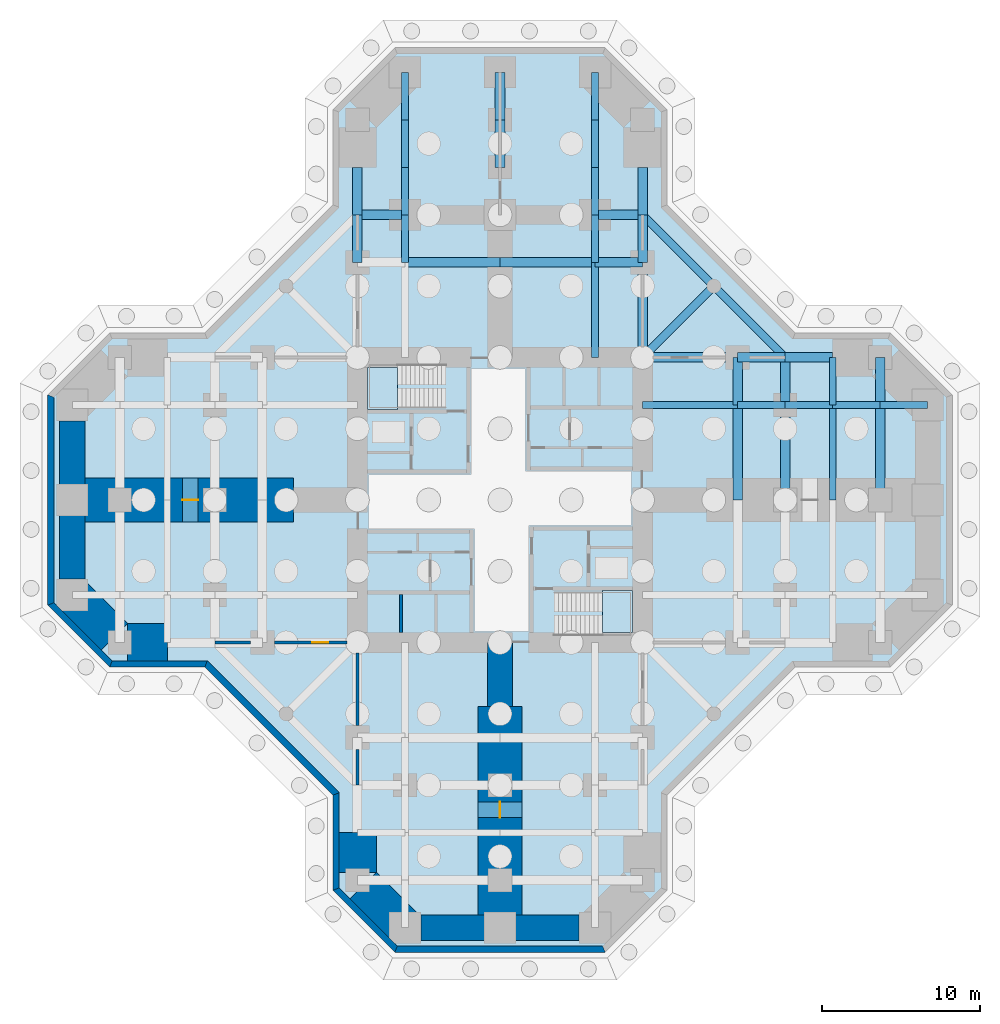
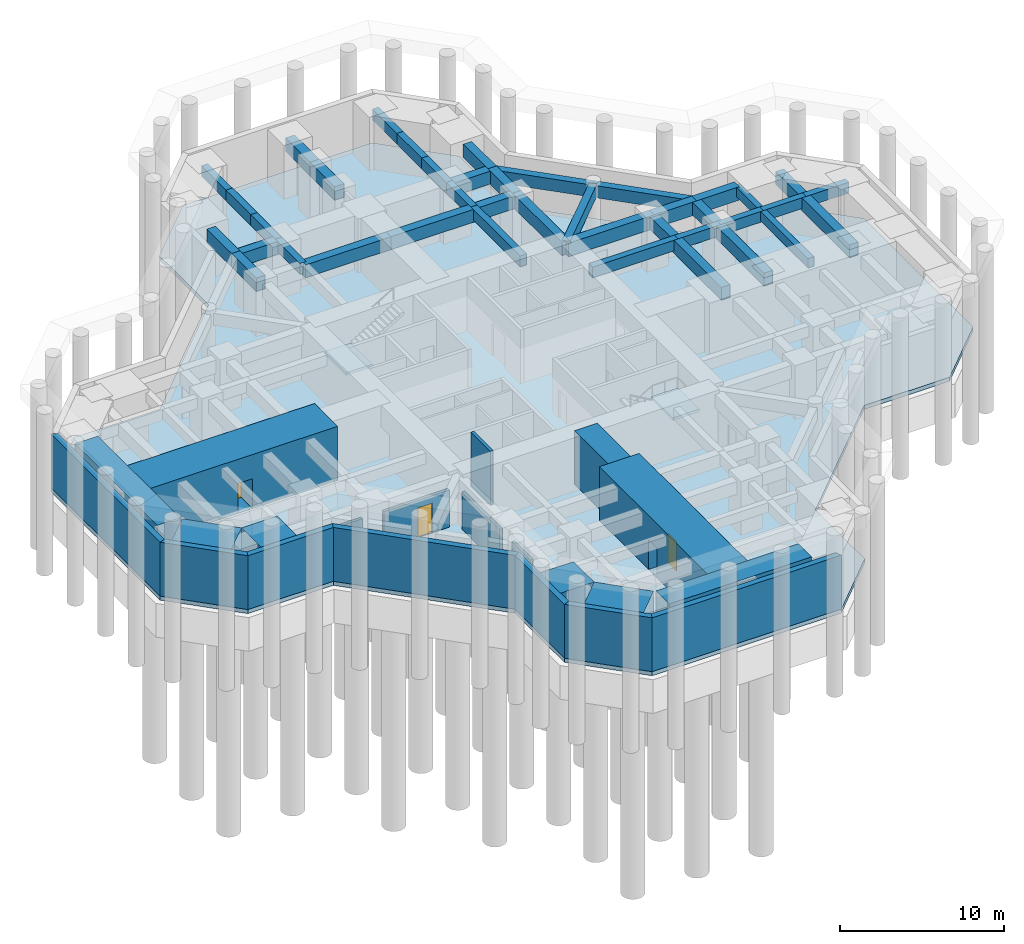
# One storey, part 3 of 8: 40 beams, 21 walls, 3 doors, 3 slabs, 3 openings, 2 elements without a shape of their own.
"""IFC4 building model written with IfcOpenShell, lengths in metres."""

from ifc_helpers import new_model, si_unit, direction, frame, frame_2d, origin, origin_2d, place, context, subcontext, project, spatial, polyline, rectangle, outline, extrude, material, layer, layer_set, constituent, constituent_set, material_profile, profile_set, type_object, element, fill, aggregate, save


model = new_model("IFC4")

# Units and contexts
model_context = context("Model", 3, precision=1e-05, world=origin(), true_north=direction((0.0, 1.0)))
body_context = subcontext(model_context, "Body", "Model", "MODEL_VIEW")
ifc_project = project(units=[si_unit("LENGTHUNIT", "METRE"), si_unit("AREAUNIT", "SQUARE_METRE"), si_unit("VOLUMEUNIT", "CUBIC_METRE"), si_unit("PLANEANGLEUNIT", "RADIAN"), si_unit("MASSUNIT", "GRAM", prefix="KILO")], contexts=[model_context])

# Site, building, storey
site_placement = place(None, origin())
site = spatial("IfcSite", under=ifc_project, at=site_placement, CompositionType="ELEMENT")
building_placement = place(site_placement, origin())
building = spatial("IfcBuilding", under=site, at=building_placement, Name="Torre Cruceta", CompositionType="ELEMENT")
storey_placement = place(building_placement, frame((0.0, 0.0, -8.0)))
storey = spatial("IfcBuildingStorey", under=building, at=storey_placement, Name="B02", CompositionType="ELEMENT", Elevation=-8.0)

# Beams
ifc_material_1 = material(Name="Concrete G60 (fck 60 MPa)", Category="concrete")
ifc_material_profile_1 = material_profile(ifc_material_1, rectangle(XDim=0.64990234375, YDim=1.0, at=origin_2d()), Name="RC 650X1000")
ifc_profile_set_1 = profile_set([ifc_material_profile_1], Name="Concrete G60 (fck 60 MPa)")
beam_type_1 = type_object("IfcBeamType", Name="ARM CENTRE BEAM RC 650X1000", PredefinedType="BEAM", material=ifc_profile_set_1)
for number, where, z_axis, x_axis, name in (
    (1, (0.0, 21.0, 3.25), (0.0, 1.0, 0.0), (-1.0, 0.0, 0.0), "MB1 B02 N centre 1"),
    (2, (0.0, 24.0, 3.25), (0.0, 1.0, 0.0), (-1.0, 0.0, 0.0), "MB1 B02 N centre 2"),
):
    element("IfcBeam", number, at=place(storey_placement, frame(where, z_axis=z_axis, x_axis=x_axis)), inside=storey, type_object=beam_type_1, Name=name, PredefinedType="BEAM", context=body_context, shape_type="SweptSolid", body=[
        extrude(rectangle(XDim=0.64990234375, YDim=1.0, at=origin_2d()), origin(), (0.0, 0.0, 1.0), 3.0),
    ])
ifc_material_2 = material(Name="Concrete G60 (fck 60 MPa)", Category="concrete")
ifc_material_profile_2 = material_profile(ifc_material_2, rectangle(XDim=0.449951171875, YDim=0.800048828125, at=origin_2d()), Name="RC 450X800")
ifc_profile_set_2 = profile_set([ifc_material_profile_2], Name="Concrete G60 (fck 60 MPa)")
beam_type_2 = type_object("IfcBeamType", Name="COLUMN LINE BEAM RC 450X800", PredefinedType="BEAM", material=ifc_profile_set_2)
beam_1_placement = place(storey_placement, frame((6.0, 9.0, 3.35009765625), z_axis=(0.0, 1.0, 0.0), x_axis=(-1.0, 0.0, 0.0)))
element("IfcBeam", 3, at=beam_1_placement, inside=storey, type_object=beam_type_2, Name="LB1 B02 N col- 1", PredefinedType="BEAM", context=body_context, shape_type="SweptSolid", body=[
    extrude(rectangle(XDim=0.449951171875, YDim=0.800048828125, at=origin_2d()), origin(), (0.0, 0.0, 1.0), 6.0),
])
for number, where, z_axis, x_axis, name in (
    (4, (6.0, 15.0, 3.35009765625), (0.0, 1.0, 0.0), (-1.0, 0.0, 0.0), "LB1 B02 N col- 2"),
    (5, (6.0, 18.0, 3.35009765625), (0.0, 1.0, 0.0), (-1.0, 0.0, 0.0), "LB1 B02 N col- 3"),
    (6, (6.0, 21.0, 3.35009765625), (0.0, 1.0, 0.0), (-1.0, 0.0, 0.0), "LB1 B02 N col- 4"),
    (7, (6.0, 24.0, 3.35009765625), (0.0, 1.0, 0.0), (-1.0, 0.0, 0.0), "LB1 B02 N col- 5"),
    (8, (-6.0, 15.0, 3.35009765625), (0.0, 1.0, 0.0), (-1.0, 0.0, 0.0), "LB1 B02 N col+ 2"),
    (9, (-6.0, 18.0, 3.35009765625), (0.0, 1.0, 0.0), (-1.0, 0.0, 0.0), "LB1 B02 N col+ 3"),
    (10, (-6.0, 21.0, 3.35009765625), (0.0, 1.0, 0.0), (-1.0, 0.0, 0.0), "LB1 B02 N col+ 4"),
    (11, (-6.0, 24.0, 3.35009765625), (0.0, 1.0, 0.0), (-1.0, 0.0, 0.0), "LB1 B02 N col+ 5"),
):
    element("IfcBeam", number, at=place(storey_placement, frame(where, z_axis=z_axis, x_axis=x_axis)), inside=storey, type_object=beam_type_2, Name=name, PredefinedType="BEAM", context=body_context, shape_type="SweptSolid", body=[
        extrude(rectangle(XDim=0.449951171875, YDim=0.800048828125, at=origin_2d()), origin(), (0.0, 0.0, 1.0), 3.0),
    ])
beam_2_placement = place(storey_placement, frame((9.0, 6.0, 3.35009765625), z_axis=(1.0, 0.0, 0.0), x_axis=(0.0, 1.0, 0.0)))
element("IfcBeam", 12, at=beam_2_placement, inside=storey, type_object=beam_type_2, Name="LB1 B02 E col+ 1", PredefinedType="BEAM", context=body_context, shape_type="SweptSolid", body=[
    extrude(rectangle(XDim=0.449951171875, YDim=0.800048828125, at=origin_2d()), origin(), (0.0, 0.0, 1.0), 6.0),
])
for number, where, z_axis, x_axis, name in (
    (13, (15.0, 6.0, 3.35009765625), (1.0, 0.0, 0.0), (0.0, 1.0, 0.0), "LB1 B02 E col+ 2"),
    (14, (18.0, 6.0, 3.35009765625), (1.0, 0.0, 0.0), (0.0, 1.0, 0.0), "LB1 B02 E col+ 3"),
    (15, (21.0, 6.0, 3.35009765625), (1.0, 0.0, 0.0), (0.0, 1.0, 0.0), "LB1 B02 E col+ 4"),
    (16, (24.0, 6.0, 3.35009765625), (1.0, 0.0, 0.0), (0.0, 1.0, 0.0), "LB1 B02 E col+ 5"),
):
    element("IfcBeam", number, at=place(storey_placement, frame(where, z_axis=z_axis, x_axis=x_axis)), inside=storey, type_object=beam_type_2, Name=name, PredefinedType="BEAM", context=body_context, shape_type="SweptSolid", body=[
        extrude(rectangle(XDim=0.449951171875, YDim=0.800048828125, at=origin_2d()), origin(), (0.0, 0.0, 1.0), 3.0),
    ])
ifc_material_3 = material(Name="Concrete G60 (fck 60 MPa)", Category="concrete")
ifc_material_profile_3 = material_profile(ifc_material_3, rectangle(XDim=0.60009765625, YDim=0.949951171875, at=origin_2d()), Name="RC 600X950")
ifc_profile_set_3 = profile_set([ifc_material_profile_3], Name="Concrete G60 (fck 60 MPa)")
beam_type_3 = type_object("IfcBeamType", Name="CROSS BEAM RC 600X950", PredefinedType="BEAM", material=ifc_profile_set_3)
beam_3_placement = place(storey_placement, frame((9.0, 15.0, 3.27490234375), z_axis=(-1.0, 0.0, 0.0), x_axis=(0.0, -1.0, 0.0)))
element("IfcBeam", 17, at=beam_3_placement, inside=storey, type_object=beam_type_3, Name="GB1 B02 N cross15 1", PredefinedType="BEAM", context=body_context, shape_type="SweptSolid", body=[
    extrude(rectangle(XDim=0.60009765625, YDim=0.949951171875, at=origin_2d()), origin(), (0.0, 0.0, 1.0), 3.0),
])
for number, where, z_axis, x_axis, name in (
    (18, (6.0, 15.0, 3.27490234375), (-1.0, 0.0, 0.0), (0.0, -1.0, 0.0), "GB1 B02 N cross15 2"),
    (19, (0.0, 15.0, 3.27490234375), (-1.0, 0.0, 0.0), (0.0, -1.0, 0.0), "GB1 B02 N cross15 3"),
):
    element("IfcBeam", number, at=place(storey_placement, frame(where, z_axis=z_axis, x_axis=x_axis)), inside=storey, type_object=beam_type_3, Name=name, PredefinedType="BEAM", context=body_context, shape_type="SweptSolid", body=[
        extrude(rectangle(XDim=0.60009765625, YDim=0.949951171875, at=origin_2d()), origin(), (0.0, 0.0, 1.0), 6.0),
    ])
for number, where, z_axis, x_axis, name in (
    (20, (9.0, 18.0, 3.27490234375), (-1.0, 0.0, 0.0), (0.0, -1.0, 0.0), "GB1 B02 N cross18 1"),
    (21, (-6.0, 18.0, 3.27490234375), (-1.0, 0.0, 0.0), (0.0, -1.0, 0.0), "GB1 B02 N cross18b 1"),
):
    element("IfcBeam", number, at=place(storey_placement, frame(where, z_axis=z_axis, x_axis=x_axis)), inside=storey, type_object=beam_type_3, Name=name, PredefinedType="BEAM", context=body_context, shape_type="SweptSolid", body=[
        extrude(rectangle(XDim=0.60009765625, YDim=0.949951171875, at=origin_2d()), origin(), (0.0, 0.0, 1.0), 3.0),
    ])
beam_4_placement = place(storey_placement, frame((15.0, 0.0, 3.27490234375), z_axis=(0.0, 1.0, 0.0), x_axis=(-1.0, 0.0, 0.0)))
element("IfcBeam", 22, at=beam_4_placement, inside=storey, type_object=beam_type_3, Name="GB1 B02 E cross15 3", PredefinedType="BEAM", context=body_context, shape_type="SweptSolid", body=[
    extrude(rectangle(XDim=0.60009765625, YDim=0.949951171875, at=origin_2d()), origin(), (0.0, 0.0, 1.0), 6.0),
])
beam_5_placement = place(storey_placement, frame((15.0, 6.0, 3.27490234375), z_axis=(0.0, 1.0, 0.0), x_axis=(-1.0, 0.0, 0.0)))
element("IfcBeam", 23, at=beam_5_placement, inside=storey, type_object=beam_type_3, Name="GB1 B02 E cross15 4", PredefinedType="BEAM", context=body_context, shape_type="SweptSolid", body=[
    extrude(rectangle(XDim=0.60009765625, YDim=0.949951171875, at=origin_2d()), origin(), (0.0, 0.0, 1.0), 3.0),
])
beam_6_placement = place(storey_placement, frame((18.0, 0.0, 3.27490234375), z_axis=(0.0, 1.0, 0.0), x_axis=(-1.0, 0.0, 0.0)))
element("IfcBeam", 24, at=beam_6_placement, inside=storey, type_object=beam_type_3, Name="GB1 B02 E cross18 3", PredefinedType="BEAM", context=body_context, shape_type="SweptSolid", body=[
    extrude(rectangle(XDim=0.60009765625, YDim=0.949951171875, at=origin_2d()), origin(), (0.0, 0.0, 1.0), 6.0),
])
beam_7_placement = place(storey_placement, frame((18.0, 6.0, 3.27490234375), z_axis=(0.0, 1.0, 0.0), x_axis=(-1.0, 0.0, 0.0)))
element("IfcBeam", 25, at=beam_7_placement, inside=storey, type_object=beam_type_3, Name="GB1 B02 E cross18 4", PredefinedType="BEAM", context=body_context, shape_type="SweptSolid", body=[
    extrude(rectangle(XDim=0.60009765625, YDim=0.949951171875, at=origin_2d()), origin(), (0.0, 0.0, 1.0), 3.0),
])
beam_8_placement = place(storey_placement, frame((24.0, 0.0, 3.27490234375), z_axis=(0.0, 1.0, 0.0), x_axis=(-1.0, 0.0, 0.0)))
element("IfcBeam", 26, at=beam_8_placement, inside=storey, type_object=beam_type_3, Name="GB1 B02 E cross24 3", PredefinedType="BEAM", context=body_context, shape_type="SweptSolid", body=[
    extrude(rectangle(XDim=0.60009765625, YDim=0.949951171875, at=origin_2d()), origin(), (0.0, 0.0, 1.0), 6.0),
])
beam_9_placement = place(storey_placement, frame((24.0, 6.0, 3.27490234375), z_axis=(0.0, 1.0, 0.0), x_axis=(-1.0, 0.0, 0.0)))
element("IfcBeam", 27, at=beam_9_placement, inside=storey, type_object=beam_type_3, Name="GB1 B02 E cross24 4", PredefinedType="BEAM", context=body_context, shape_type="SweptSolid", body=[
    extrude(rectangle(XDim=0.60009765625, YDim=0.949951171875, at=origin_2d()), origin(), (0.0, 0.0, 1.0), 3.0),
])
ifc_material_4 = material(Name="Concrete G60 (fck 60 MPa)", Category="concrete")
ifc_material_profile_4 = material_profile(ifc_material_4, rectangle(XDim=0.39990234375, YDim=0.699951171875, at=origin_2d()), Name="RC 400X700")
ifc_profile_set_4 = profile_set([ifc_material_profile_4], Name="Concrete G60 (fck 60 MPa)")
beam_type_4 = type_object("IfcBeamType", Name="SECONDARY BEAM RC 400X700", PredefinedType="JOIST", material=ifc_profile_set_4)
beam_10_placement = place(storey_placement, frame((21.0, 0.0, 3.39990234375), z_axis=(0.0, 1.0, 0.0), x_axis=(-1.0, 0.0, 0.0)))
element("IfcBeam", 28, at=beam_10_placement, inside=storey, type_object=beam_type_4, Name="JB1 B02 E sec21 3", PredefinedType="JOIST", context=body_context, shape_type="SweptSolid", body=[
    extrude(rectangle(XDim=0.39990234375, YDim=0.699951171875, at=origin_2d()), origin(), (0.0, 0.0, 1.0), 6.0),
])
beam_11_placement = place(storey_placement, frame((21.0, 6.0, 3.39990234375), z_axis=(0.0, 1.0, 0.0), x_axis=(-1.0, 0.0, 0.0)))
element("IfcBeam", 29, at=beam_11_placement, inside=storey, type_object=beam_type_4, Name="JB1 B02 E sec21 4", PredefinedType="JOIST", context=body_context, shape_type="SweptSolid", body=[
    extrude(rectangle(XDim=0.39990234375, YDim=0.699951171875, at=origin_2d()), origin(), (0.0, 0.0, 1.0), 3.0),
])
ifc_material_5 = material(Name="Concrete G60 (fck 60 MPa)", Category="concrete")
ifc_material_profile_5 = material_profile(ifc_material_5, rectangle(XDim=0.60009765625, YDim=1.0, at=origin_2d()), Name="RC 600X1000")
ifc_profile_set_5 = profile_set([ifc_material_profile_5], Name="Concrete G60 (fck 60 MPa)")
beam_type_5 = type_object("IfcBeamType", Name="SPANDREL BEAM RC 600X1000", PredefinedType="SPANDREL", material=ifc_profile_set_5)
beam_12_placement = place(storey_placement, frame((9.0, 9.0, 3.25), z_axis=(0.0, 1.0, 0.0), x_axis=(-1.0, 0.0, 0.0)))
element("IfcBeam", 30, at=beam_12_placement, inside=storey, type_object=beam_type_5, Name="SB1 B02 N side- 1", PredefinedType="SPANDREL", context=body_context, shape_type="SweptSolid", body=[
    extrude(rectangle(XDim=0.60009765625, YDim=1.0, at=origin_2d()), origin(), (0.0, 0.0, 1.0), 6.0),
])
for number, where, z_axis, x_axis, name in (
    (31, (9.0, 15.0, 3.25), (0.0, 1.0, 0.0), (-1.0, 0.0, 0.0), "SB1 B02 N side- 2"),
    (32, (9.0, 18.0, 3.25), (0.0, 1.0, 0.0), (-1.0, 0.0, 0.0), "SB1 B02 N side- 3"),
    (33, (-9.0, 15.0, 3.25), (0.0, 1.0, 0.0), (-1.0, 0.0, 0.0), "SB1 B02 N side+ 2"),
    (34, (-9.0, 18.0, 3.25), (0.0, 1.0, 0.0), (-1.0, 0.0, 0.0), "SB1 B02 N side+ 3"),
):
    element("IfcBeam", number, at=place(storey_placement, frame(where, z_axis=z_axis, x_axis=x_axis)), inside=storey, type_object=beam_type_5, Name=name, PredefinedType="SPANDREL", context=body_context, shape_type="SweptSolid", body=[
        extrude(rectangle(XDim=0.60009765625, YDim=1.0, at=origin_2d()), origin(), (0.0, 0.0, 1.0), 3.0),
    ])
beam_13_placement = place(storey_placement, frame((9.0, 9.0, 3.25), z_axis=(1.0, 0.0, 0.0), x_axis=(0.0, 1.0, 0.0)))
element("IfcBeam", 35, at=beam_13_placement, inside=storey, type_object=beam_type_5, Name="SB1 B02 E side+ 1", PredefinedType="SPANDREL", context=body_context, shape_type="SweptSolid", body=[
    extrude(rectangle(XDim=0.60009765625, YDim=1.0, at=origin_2d()), origin(), (0.0, 0.0, 1.0), 6.0),
])
for number, where, z_axis, x_axis, name in (
    (36, (15.0, 9.0, 3.25), (1.0, 0.0, 0.0), (0.0, 1.0, 0.0), "SB1 B02 E side+ 2"),
    (37, (18.0, 9.0, 3.25), (1.0, 0.0, 0.0), (0.0, 1.0, 0.0), "SB1 B02 E side+ 3"),
):
    element("IfcBeam", number, at=place(storey_placement, frame(where, z_axis=z_axis, x_axis=x_axis)), inside=storey, type_object=beam_type_5, Name=name, PredefinedType="SPANDREL", context=body_context, shape_type="SweptSolid", body=[
        extrude(rectangle(XDim=0.60009765625, YDim=1.0, at=origin_2d()), origin(), (0.0, 0.0, 1.0), 3.0),
    ])
ifc_material_6 = material(Name="Concrete G60 (fck 60 MPa)", Category="concrete")
ifc_material_profile_6 = material_profile(ifc_material_6, rectangle(XDim=0.5, YDim=0.89990234375, at=origin_2d()), Name="RC 500X900")
ifc_profile_set_6 = profile_set([ifc_material_profile_6], Name="Concrete G60 (fck 60 MPa)")
beam_type_6 = type_object("IfcBeamType", Name="WING EDGE BEAM RC 500X900", PredefinedType="BEAM", material=ifc_profile_set_6)
for number, where, z_axis, x_axis, name in (
    (38, (18.0, 9.0, 3.300048828125), (-0.707106781187, 0.707106781187, 0.0), (-0.707106781187, -0.707106781187, 0.0), "WB1 B02 E wing 1"),
    (39, (13.5, 13.5, 3.300048828125), (-0.707106781187, 0.707106781187, 0.0), (-0.707106781187, -0.707106781187, 0.0), "WB1 B02 E wing 2"),
    (40, (9.0, 9.0, 3.300048828125), (0.707106781187, 0.707106781187, 0.0), (-0.707106781187, 0.707106781187, 0.0), "WB1 B02 E wingtie 1"),
):
    element("IfcBeam", number, at=place(storey_placement, frame(where, z_axis=z_axis, x_axis=x_axis)), inside=storey, type_object=beam_type_6, Name=name, PredefinedType="BEAM", context=body_context, shape_type="SweptSolid", body=[
        extrude(rectangle(XDim=0.5, YDim=0.89990234375, at=origin_2d()), origin(), (0.0, 0.0, 1.0), 6.364013671875),
    ])

# Slab
ifc_material_7 = material(Name="Concrete G35 (fck 35 MPa)", Category="concrete")
ifc_layer_1 = layer(ifc_material_7, 0.300048828125)
ifc_layer_set_1 = layer_set([ifc_layer_1], Name="Concrete G35 (fck 35 MPa)")
slab_type_1 = type_object("IfcSlabType", Name="BASE SLAB 300", PredefinedType="BASESLAB", material=ifc_layer_set_1)
slab_1_placement = place(storey_placement, frame((0.0, 0.0, -0.300048828125)))
element("IfcSlab", 41, at=slab_1_placement, inside=storey, type_object=slab_type_1, Name="Base Slab B02", PredefinedType="BASESLAB", context=body_context, shape_type="SweptSolid", body=[
    extrude(outline(polyline([(18.64208984375, -10.550048828125), (10.550048828125, -18.64208984375), (10.550048828125, -24.64208984375), (6.64208984375, -28.550048828125), (-6.64208984375, -28.550048828125), (-10.550048828125, -24.64208984375), (-10.550048828125, -18.64208984375), (-18.64208984375, -10.550048828125), (-24.64208984375, -10.550048828125), (-28.550048828125, -6.64208984375), (-28.550048828125, 6.64208984375), (-24.64208984375, 10.550048828125), (-18.64208984375, 10.550048828125), (-10.550048828125, 18.64208984375), (-10.550048828125, 24.64208984375), (-6.64208984375, 28.550048828125), (6.64208984375, 28.550048828125), (10.550048828125, 24.64208984375), (10.550048828125, 18.64208984375), (18.64208984375, 10.550048828125), (24.64208984375, 10.550048828125), (28.550048828125, 6.64208984375), (28.550048828125, -6.64208984375), (24.64208984375, -10.550048828125), (18.64208984375, -10.550048828125)])), origin(), (0.0, 0.0, 1.0), 0.300048828125),
])

# Stair, slab
ifc_material_8 = material(Name="Concrete G30 (fck 30 MPa)", Category="concrete")
stair_type = type_object("IfcStairType", Name="STAIR HALF-TURN 1300", PredefinedType="HALF_TURN_STAIR", material=ifc_material_8)
stair_1_placement = place(storey_placement, origin())
stair_1 = element("IfcStair", 42, at=stair_1_placement, inside=storey, type_object=stair_type, Name="Stair ST1 B02", PredefinedType="HALF_TURN_STAIR")
ifc_material_9 = material(Name="Concrete G30 (fck 30 MPa)", Category="concrete")
ifc_layer_2 = layer(ifc_material_9, 0.199951171875)
ifc_layer_set_2 = layer_set([ifc_layer_2], Name="Concrete G30 (fck 30 MPa)")
slab_type_2 = type_object("IfcSlabType", Name="STAIR LANDING 200", PredefinedType="LANDING", material=ifc_layer_set_2)
slab_2_placement = place(storey_placement, frame((0.0, 0.0, 1.800048828125)))
slab_2 = element("IfcSlab", 43, at=slab_2_placement, type_object=slab_type_2, Name="ST1 landing 1", PredefinedType="LANDING", context=body_context, shape_type="SweptSolid", body=[
    extrude(outline(polyline([(-8.35009765625, 5.72509765625), (-6.47998046875, 5.72509765625), (-6.47998046875, 8.35009765625), (-8.35009765625, 8.35009765625), (-8.35009765625, 5.72509765625)])), origin(), (0.0, 0.0, 1.0), 0.199951171875),
])
aggregate(stair_1, [slab_2])

stair_2_placement = place(storey_placement, origin())
stair_2 = element("IfcStair", 44, at=stair_2_placement, inside=storey, type_object=stair_type, Name="Stair ST2 B02", PredefinedType="HALF_TURN_STAIR")
slab_3_placement = place(storey_placement, frame((0.0, 0.0, 1.800048828125)))
slab_3 = element("IfcSlab", 45, at=slab_3_placement, type_object=slab_type_2, Name="ST2 landing 1", PredefinedType="LANDING", context=body_context, shape_type="SweptSolid", body=[
    extrude(outline(polyline([(6.47998046875, -8.35009765625), (8.35009765625, -8.35009765625), (8.35009765625, -5.72509765625), (6.47998046875, -5.72509765625), (6.47998046875, -8.35009765625)])), origin(), (0.0, 0.0, 1.0), 0.199951171875),
])
aggregate(stair_2, [slab_3])

# Walls
ifc_material_10 = material(Name="Concrete G60 (fck 60 MPa)", Category="concrete")
ifc_layer_3 = layer(ifc_material_10, 2.39990234375)
ifc_layer_set_3 = layer_set([ifc_layer_3], Name="Concrete G60 (fck 60 MPa)")
wall_type_1 = type_object("IfcWallType", Name="BASEMENT ARM WALL 2400 G60", PredefinedType="SHEAR", material=ifc_layer_set_3)
wall_1_placement = place(storey_placement, frame((-9.0, -21.0, 0.0), z_axis=(0.0, 0.0, 1.0), x_axis=(0.0, -1.0, 0.0)))
element("IfcWall", 46, at=wall_1_placement, inside=storey, type_object=wall_type_1, Name="BW1 basement arm wall B02 S R1", PredefinedType="SHEAR", context=body_context, shape_type="SweptSolid", body=[
    extrude(rectangle(XDim=2.5029296875, YDim=2.39990234375, at=frame_2d((1.25146484375, 0.0))), origin(), (0.0, 0.0, 1.0), 4.0),
])
wall_2_placement = place(storey_placement, frame((-8.6484375, -24.3515625, 0.0), z_axis=(0.0, 0.0, 1.0), x_axis=(0.707106781187, -0.707106781187, 0.0)))
element("IfcWall", 47, at=wall_2_placement, inside=storey, type_object=wall_type_1, Name="BW1 basement arm wall B02 S R2", PredefinedType="SHEAR", context=body_context, shape_type="SweptSolid", body=[
    extrude(rectangle(XDim=3.745361328125, YDim=2.39990234375, at=frame_2d((1.87255859375, 0.0))), origin(), (0.0, 0.0, 1.0), 4.0),
])
wall_3_placement = place(storey_placement, frame((-21.0, -9.0, 0.0), z_axis=(0.0, 0.0, 1.0), x_axis=(-1.0, 0.0, 0.0)))
element("IfcWall", 48, at=wall_3_placement, inside=storey, type_object=wall_type_1, Name="BW1 basement arm wall B02 W L1", PredefinedType="SHEAR", context=body_context, shape_type="SweptSolid", body=[
    extrude(rectangle(XDim=2.5029296875, YDim=2.39990234375, at=frame_2d((1.25146484375, 0.0))), origin(), (0.0, 0.0, 1.0), 4.0),
])
wall_4_placement = place(storey_placement, frame((-24.3515625, -8.6484375, 0.0), z_axis=(0.0, 0.0, 1.0), x_axis=(-0.707106781187, 0.707106781187, 0.0)))
element("IfcWall", 49, at=wall_4_placement, inside=storey, type_object=wall_type_1, Name="BW1 basement arm wall B02 W L2", PredefinedType="SHEAR", context=body_context, shape_type="SweptSolid", body=[
    extrude(rectangle(XDim=3.745361328125, YDim=2.39990234375, at=frame_2d((1.87255859375, 0.0))), origin(), (0.0, 0.0, 1.0), 4.0),
])
ifc_material_11 = material(Name="Concrete G45 (fck 45 MPa)", Category="concrete")
ifc_layer_4 = layer(ifc_material_11, 0.39990234375)
ifc_layer_set_4 = layer_set([ifc_layer_4], Name="Concrete G45 (fck 45 MPa)")
wall_type_2 = type_object("IfcWallType", Name="BASEMENT RETAINING WALL 400", PredefinedType="SOLIDWALL", material=ifc_layer_set_4)
wall_5_placement = place(storey_placement, origin())
element("IfcWall", 50, at=wall_5_placement, inside=storey, type_object=wall_type_2, Name="Retaining wall RW1 B02-04", PredefinedType="SOLIDWALL", context=body_context, shape_type="SweptSolid", body=[
    extrude(outline(polyline([(6.476318359375, -28.14990234375), (6.64208984375, -28.550048828125), (-6.64208984375, -28.550048828125), (-6.476318359375, -28.14990234375), (6.476318359375, -28.14990234375)])), origin(), (0.0, 0.0, 1.0), 4.0),
])
wall_6_placement = place(storey_placement, origin())
element("IfcWall", 51, at=wall_6_placement, inside=storey, type_object=wall_type_2, Name="Retaining wall RW1 B02-05", PredefinedType="SOLIDWALL", context=body_context, shape_type="SweptSolid", body=[
    extrude(outline(polyline([(-6.476318359375, -28.14990234375), (-6.64208984375, -28.550048828125), (-10.550048828125, -24.64208984375), (-10.14990234375, -24.476318359375), (-6.476318359375, -28.14990234375)])), origin(), (0.0, 0.0, 1.0), 4.0),
])
wall_7_placement = place(storey_placement, origin())
element("IfcWall", 52, at=wall_7_placement, inside=storey, type_object=wall_type_2, Name="Retaining wall RW1 B02-06", PredefinedType="SOLIDWALL", context=body_context, shape_type="SweptSolid", body=[
    extrude(outline(polyline([(-10.14990234375, -24.476318359375), (-10.550048828125, -24.64208984375), (-10.550048828125, -18.64208984375), (-10.14990234375, -18.476318359375), (-10.14990234375, -24.476318359375)])), origin(), (0.0, 0.0, 1.0), 4.0),
])
wall_8_placement = place(storey_placement, origin())
element("IfcWall", 53, at=wall_8_placement, inside=storey, type_object=wall_type_2, Name="Retaining wall RW1 B02-07", PredefinedType="SOLIDWALL", context=body_context, shape_type="SweptSolid", body=[
    extrude(outline(polyline([(-10.14990234375, -18.476318359375), (-10.550048828125, -18.64208984375), (-18.64208984375, -10.550048828125), (-18.476318359375, -10.14990234375), (-10.14990234375, -18.476318359375)])), origin(), (0.0, 0.0, 1.0), 4.0),
])
wall_9_placement = place(storey_placement, origin())
element("IfcWall", 54, at=wall_9_placement, inside=storey, type_object=wall_type_2, Name="Retaining wall RW1 B02-08", PredefinedType="SOLIDWALL", context=body_context, shape_type="SweptSolid", body=[
    extrude(outline(polyline([(-18.476318359375, -10.14990234375), (-18.64208984375, -10.550048828125), (-24.64208984375, -10.550048828125), (-24.476318359375, -10.14990234375), (-18.476318359375, -10.14990234375)])), origin(), (0.0, 0.0, 1.0), 4.0),
])
wall_10_placement = place(storey_placement, origin())
element("IfcWall", 55, at=wall_10_placement, inside=storey, type_object=wall_type_2, Name="Retaining wall RW1 B02-09", PredefinedType="SOLIDWALL", context=body_context, shape_type="SweptSolid", body=[
    extrude(outline(polyline([(-24.476318359375, -10.14990234375), (-24.64208984375, -10.550048828125), (-28.550048828125, -6.64208984375), (-28.14990234375, -6.476318359375), (-24.476318359375, -10.14990234375)])), origin(), (0.0, 0.0, 1.0), 4.0),
])
wall_11_placement = place(storey_placement, origin())
element("IfcWall", 56, at=wall_11_placement, inside=storey, type_object=wall_type_2, Name="Retaining wall RW1 B02-10", PredefinedType="SOLIDWALL", context=body_context, shape_type="SweptSolid", body=[
    extrude(outline(polyline([(-28.14990234375, -6.476318359375), (-28.550048828125, -6.64208984375), (-28.550048828125, 6.64208984375), (-28.14990234375, 6.476318359375), (-28.14990234375, -6.476318359375)])), origin(), (0.0, 0.0, 1.0), 4.0),
])
ifc_material_12 = material(Name="Concrete G35 (fck 35 MPa)", Category="concrete")
ifc_layer_5 = layer(ifc_material_12, 0.199951171875)
ifc_layer_set_5 = layer_set([ifc_layer_5], Name="Concrete G35 (fck 35 MPa)")
wall_type_3 = type_object("IfcWallType", Name="LIFT SHAFT WALL 200", PredefinedType="PARTITIONING", material=ifc_layer_set_5)
wall_12_placement = place(storey_placement, frame((-6.24169921875, -5.97509765625, 0.0), z_axis=(0.0, 0.0, 1.0), x_axis=(0.0, -1.0, 0.0)))
element("IfcWall", 57, at=wall_12_placement, inside=storey, type_object=wall_type_3, Name="SW1 B02 SW-LS2", PredefinedType="PARTITIONING", context=body_context, shape_type="SweptSolid", body=[
    extrude(rectangle(XDim=2.375, YDim=0.199951171875, at=frame_2d((1.1875, 0.0))), origin(), (0.0, 0.0, 1.0), 4.0),
])
ifc_material_13 = material(Name="Concrete G60 (fck 60 MPa)", Category="concrete")
ifc_layer_6 = layer(ifc_material_13, 1.60009765625)
ifc_layer_set_6 = layer_set([ifc_layer_6], Name="Concrete G60 (fck 60 MPa)")
wall_type_4 = type_object("IfcWallType", Name="NOSE WALL 1600 G60", PredefinedType="SHEAR", material=ifc_layer_set_6)
for number, where, z_axis, x_axis, name in (
    (58, (-5.0, -27.0, 0.0), (0.0, 0.0, 1.0), (1.0, 0.0, 0.0), "NW0 nose wall B02 S"),
    (59, (-27.0, 5.0, 0.0), (0.0, 0.0, 1.0), (0.0, -1.0, 0.0), "NW0 nose wall B02 W"),
):
    element("IfcWall", number, at=place(storey_placement, frame(where, z_axis=z_axis, x_axis=x_axis)), inside=storey, type_object=wall_type_4, Name=name, PredefinedType="SHEAR", context=body_context, shape_type="SweptSolid", body=[
        extrude(rectangle(XDim=10.0, YDim=1.60009765625, at=frame_2d((5.0, 0.0))), origin(), (0.0, 0.0, 1.0), 4.0),
    ])
ifc_material_14 = material(Name="Concrete G60 (fck 60 MPa)", Category="concrete")
ifc_layer_7 = layer(ifc_material_14, 1.60009765625)
ifc_layer_set_7 = layer_set([ifc_layer_7], Name="Concrete G60 (fck 60 MPa)")
wall_type_5 = type_object("IfcWallType", Name="SPINE WALL 1600 G60", PredefinedType="SHEAR", material=ifc_layer_set_7)
wall_13_placement = place(storey_placement, frame((0.0, -9.0, 0.0), z_axis=(0.0, 0.0, 1.0), x_axis=(0.0, -1.0, 0.0)))
element("IfcWall", 60, at=wall_13_placement, inside=storey, type_object=wall_type_5, Name="SW2 spine wall root B02 S", PredefinedType="SHEAR", context=body_context, shape_type="SweptSolid", body=[
    extrude(rectangle(XDim=4.050048828125, YDim=1.60009765625, at=frame_2d((2.02490234375, 0.0))), origin(), (0.0, 0.0, 1.0), 4.0),
])

# Wall, opening, door
ifc_material_15 = material(Name="Concrete G60 (fck 60 MPa)", Category="concrete")
ifc_layer_8 = layer(ifc_material_15, 2.800048828125)
ifc_layer_set_8 = layer_set([ifc_layer_8], Name="Concrete G60 (fck 60 MPa)")
wall_type_6 = type_object("IfcWallType", Name="SPINE WALL 2800 G60", PredefinedType="SHEAR", material=ifc_layer_set_8)
wall_14_placement = place(storey_placement, frame((0.0, -13.050048828125, 0.0), z_axis=(0.0, 0.0, 1.0), x_axis=(0.0, -1.0, 0.0)))
wall_14 = element("IfcWall", 61, at=wall_14_placement, inside=storey, type_object=wall_type_6, Name="SW8 spine wall B02 S", PredefinedType="SHEAR", context=body_context, shape_type="SweptSolid", body=[
    extrude(rectangle(XDim=13.949951171875, YDim=2.800048828125, at=frame_2d((6.97509765625, 0.0))), origin(), (0.0, 0.0, 1.0), 4.0),
])
opening_1_placement = place(wall_14_placement, frame((6.0, 0.0, 0.0)))
opening_1 = element("IfcOpeningElement", 62, at=opening_1_placement, cuts=wall_14, Name="Opening D14", PredefinedType="OPENING", context=body_context, shape_type="SweptSolid", body=[
    extrude(rectangle(XDim=1.0, YDim=2.199951171875, at=frame_2d((0.5, 1.10009765625))), frame((0.0, 1.409912109375, 0.0), z_axis=(0.0, -1.0, 0.0), x_axis=(1.0, 0.0, 0.0)), (0.0, 0.0, 1.0), 2.820068359375),
])
ifc_material_16 = material(Name="Steel DX51D", Category="steel")
ifc_constituent_1 = constituent(ifc_material_16, Name="Leaf and frame")
ifc_material_17 = material(Name="Polyester powder coating", Category="paint")
ifc_constituent_2 = constituent(ifc_material_17, Name="Finish")
ifc_material_18 = material(Name="Fire-resisting glass", Category="glass")
ifc_constituent_3 = constituent(ifc_material_18, Name="Vision panel")
ifc_constituent_set = constituent_set(constituents=[ifc_constituent_1, ifc_constituent_2, ifc_constituent_3], Name="Steel fire door with vision panel")
door_type = type_object("IfcDoorType", Name="FIRE DOOR VISION PANEL 1000X2200", OperationType="SINGLE_SWING_RIGHT", PredefinedType="DOOR", material=ifc_constituent_set)
door_1_placement = place(opening_1_placement, frame((1.0, 0.0, 0.0), z_axis=(0.0, 0.0, 1.0), x_axis=(-1.0, 0.0, 0.0)))
door_1 = element("IfcDoor", 63, at=door_1_placement, inside=storey, type_object=door_type, Name="D14 B02-S-SP1", OperationType="SINGLE_SWING_LEFT", OverallHeight=2.199951171875, OverallWidth=1.0, PredefinedType="DOOR", context=body_context, shape_type="SweptSolid", body=[
    extrude(rectangle(XDim=1.0, YDim=2.199951171875, at=frame_2d((0.5, 1.10009765625))), frame((0.0, 0.025146484375, 0.0), z_axis=(0.0, -1.0, 0.0), x_axis=(1.0, 0.0, 0.0)), (0.0, 0.0, 1.0), 0.050048828125),
])
fill(opening_1, door_1)

wall_15_placement = place(storey_placement, frame((-13.050048828125, 0.0, 0.0), z_axis=(0.0, 0.0, 1.0), x_axis=(-1.0, 0.0, 0.0)))
wall_15 = element("IfcWall", 64, at=wall_15_placement, inside=storey, type_object=wall_type_6, Name="SW8 spine wall B02 W", PredefinedType="SHEAR", context=body_context, shape_type="SweptSolid", body=[
    extrude(rectangle(XDim=13.949951171875, YDim=2.800048828125, at=frame_2d((6.97509765625, 0.0))), origin(), (0.0, 0.0, 1.0), 4.0),
])
opening_2_placement = place(wall_15_placement, frame((6.0, 0.0, 0.0)))
opening_2 = element("IfcOpeningElement", 65, at=opening_2_placement, cuts=wall_15, Name="Opening D14", PredefinedType="OPENING", context=body_context, shape_type="SweptSolid", body=[
    extrude(rectangle(XDim=1.0, YDim=2.199951171875, at=frame_2d((0.5, 1.10009765625))), frame((0.0, 1.409912109375, 0.0), z_axis=(0.0, -1.0, 0.0), x_axis=(1.0, 0.0, 0.0)), (0.0, 0.0, 1.0), 2.820068359375),
])
door_2_placement = place(opening_2_placement, frame((1.0, 0.0, 0.0), z_axis=(0.0, 0.0, 1.0), x_axis=(-1.0, 0.0, 0.0)))
door_2 = element("IfcDoor", 66, at=door_2_placement, inside=storey, type_object=door_type, Name="D14 B02-W-SP1", OperationType="SINGLE_SWING_LEFT", OverallHeight=2.199951171875, OverallWidth=1.0, PredefinedType="DOOR", context=body_context, shape_type="SweptSolid", body=[
    extrude(rectangle(XDim=1.0, YDim=2.199951171875, at=frame_2d((0.5, 1.10009765625))), frame((0.0, 0.025146484375, 0.0), z_axis=(0.0, -1.0, 0.0), x_axis=(1.0, 0.0, 0.0)), (0.0, 0.0, 1.0), 0.050048828125),
])
fill(opening_2, door_2)

ifc_material_19 = material(Name="Concrete G25 (fck 25 MPa)", Category="concrete")
ifc_layer_9 = layer(ifc_material_19, 0.199951171875)
ifc_layer_set_9 = layer_set([ifc_layer_9], Name="Concrete G25 (fck 25 MPa)")
wall_type_7 = type_object("IfcWallType", Name="WING SEPARATING WALL 200", PredefinedType="SOLIDWALL", material=ifc_layer_set_9)
wall_16_placement = place(storey_placement, frame((-9.64990234375, -9.0, 0.0), z_axis=(0.0, 0.0, 1.0), x_axis=(-1.0, 0.0, 0.0)))
wall_16 = element("IfcWall", 67, at=wall_16_placement, inside=storey, type_object=wall_type_7, Name="PT6 B02-WING-W-A1", PredefinedType="SOLIDWALL", context=body_context, shape_type="SweptSolid", body=[
    extrude(rectangle(XDim=4.60009765625, YDim=0.199951171875, at=frame_2d((2.300048828125, 0.0))), origin(), (0.0, 0.0, 1.0), 2.75),
])
opening_3_placement = place(wall_16_placement, frame((1.199951171875, 0.0, 0.0)))
opening_3 = element("IfcOpeningElement", 68, at=opening_3_placement, cuts=wall_16, Name="Opening D14", PredefinedType="OPENING", context=body_context, shape_type="SweptSolid", body=[
    extrude(rectangle(XDim=1.0, YDim=2.199951171875, at=frame_2d((0.5, 1.10009765625))), frame((0.0, 0.10986328125, 0.0), z_axis=(0.0, -1.0, 0.0), x_axis=(1.0, 0.0, 0.0)), (0.0, 0.0, 1.0), 0.219970703125),
])
door_3_placement = place(opening_3_placement, origin())
door_3 = element("IfcDoor", 69, at=door_3_placement, inside=storey, type_object=door_type, Name="D14 B02-WING-W-A1-D1", OperationType="SINGLE_SWING_LEFT", OverallHeight=2.199951171875, OverallWidth=1.0, PredefinedType="DOOR", context=body_context, shape_type="SweptSolid", body=[
    extrude(rectangle(XDim=1.0, YDim=2.199951171875, at=frame_2d((0.5, 1.10009765625))), frame((0.0, 0.02490234375, 0.0), z_axis=(0.0, -1.0, 0.0), x_axis=(1.0, 0.0, 0.0)), (0.0, 0.0, 1.0), 0.050048828125),
])
fill(opening_3, door_3)

# Walls
wall_17_placement = place(storey_placement, frame((-15.75, -9.0, 0.0), z_axis=(0.0, 0.0, 1.0), x_axis=(-1.0, 0.0, 0.0)))
element("IfcWall", 70, at=wall_17_placement, inside=storey, type_object=wall_type_7, Name="PT6 B02-WING-W-A2", PredefinedType="SOLIDWALL", context=body_context, shape_type="SweptSolid", body=[
    extrude(rectangle(XDim=2.25, YDim=0.199951171875, at=frame_2d((1.125, 0.0))), origin(), (0.0, 0.0, 1.0), 2.75),
])
wall_18_placement = place(storey_placement, frame((-9.0, -14.25, 0.0), z_axis=(0.0, 0.0, 1.0), x_axis=(0.0, 1.0, 0.0)))
element("IfcWall", 71, at=wall_18_placement, inside=storey, type_object=wall_type_7, Name="PT6 B02-WING-W-B1", PredefinedType="SOLIDWALL", context=body_context, shape_type="SweptSolid", body=[
    extrude(rectangle(XDim=4.60009765625, YDim=0.199951171875, at=frame_2d((2.300048828125, 0.0))), origin(), (0.0, 0.0, 1.0), 2.75),
])
wall_19_placement = place(storey_placement, frame((-9.0, -18.0, 0.0), z_axis=(0.0, 0.0, 1.0), x_axis=(0.0, 1.0, 0.0)))
element("IfcWall", 72, at=wall_19_placement, inside=storey, type_object=wall_type_7, Name="PT6 B02-WING-W-B2", PredefinedType="SOLIDWALL", context=body_context, shape_type="SweptSolid", body=[
    extrude(rectangle(XDim=2.25, YDim=0.199951171875, at=frame_2d((1.125, 0.0))), origin(), (0.0, 0.0, 1.0), 2.75),
])

save(model, "model.ifc")
